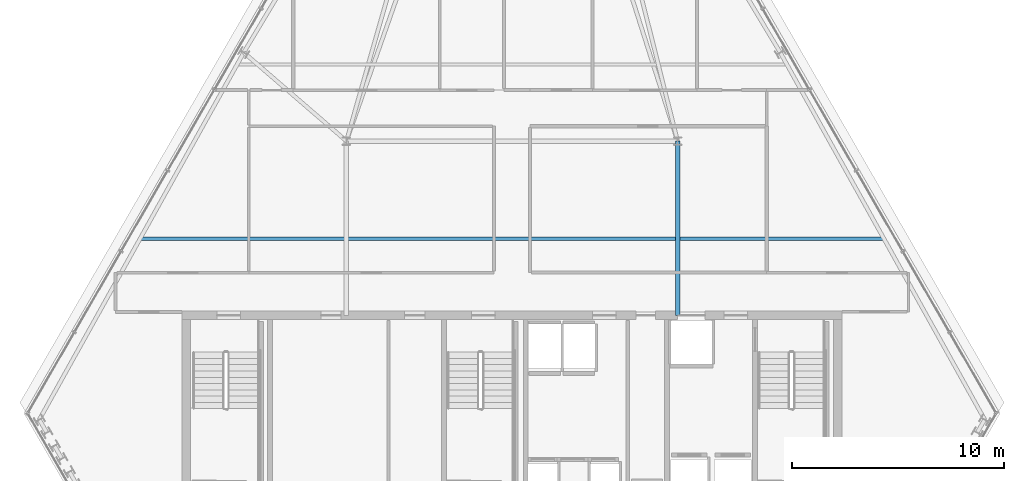
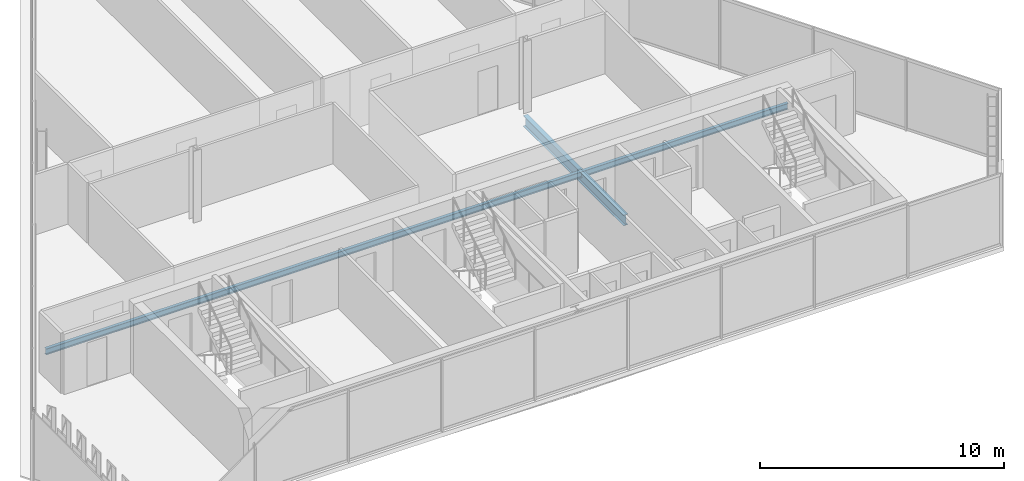
# One storey, part 10 of 32: 2 beams.
"""IFC4 building model written with IfcOpenShell, lengths in metres."""

from ifc_helpers import new_model, si_unit, direction, frame, origin, origin_2d, place, context, subcontext, project, spatial, i_section, extrude, material, material_profile, profile_set, type_object, element, save


model = new_model("IFC4")

# Units and contexts
model_context = context("Model", 3, precision=1e-05, world=origin(), true_north=direction((0.0, 1.0)))
body_context = subcontext(model_context, "Body", "Model", "MODEL_VIEW")
ifc_project = project(units=[si_unit("LENGTHUNIT", "METRE"), si_unit("AREAUNIT", "SQUARE_METRE"), si_unit("VOLUMEUNIT", "CUBIC_METRE"), si_unit("PLANEANGLEUNIT", "RADIAN"), si_unit("MASSUNIT", "GRAM", prefix="KILO")], contexts=[model_context])

# Site, building, storey
site_placement = place(None, origin())
site = spatial("IfcSite", under=ifc_project, at=site_placement, CompositionType="ELEMENT")
building_placement = place(site_placement, origin())
building = spatial("IfcBuilding", under=site, at=building_placement, Name="Ndaravel Arena Tower", CompositionType="ELEMENT")
storey_placement = place(building_placement, frame((0.0, 0.0, 252.199951171875)))
storey = spatial("IfcBuildingStorey", under=building, at=storey_placement, Name="L61", CompositionType="ELEMENT", Elevation=252.199951171875)

# Beams
ifc_material_1 = material(Name="Steel S355", Category="steel")
ifc_material_profile_1 = material_profile(ifc_material_1, i_section(OverallWidth=0.210693359375, OverallDepth=0.53955078125, WebThickness=0.01171875, FlangeThickness=0.018798828125, FilletRadius=0.0126953125, at=origin_2d()), Name="UB 533x210x109")
ifc_profile_set_1 = profile_set([ifc_material_profile_1], Name="Steel S355")
beam_type_1 = type_object("IfcBeamType", Name="BM-GIRD-UB533", PredefinedType="BEAM", material=ifc_profile_set_1)
beam_1_placement = place(storey_placement, frame((49.800048828125, 14.97998046875, -0.48974609375), z_axis=(0.0, 1.0, 0.0), x_axis=(-1.0, 0.0, 0.0)))
element("IfcBeam", 1, at=beam_1_placement, inside=storey, type_object=beam_type_1, Name="L61 Spine Link Girder SLG-02", PredefinedType="BEAM", context=body_context, shape_type="SweptSolid", body=[
    extrude(i_section(OverallWidth=0.210693359375, OverallDepth=0.53955078125, WebThickness=0.01171875, FlangeThickness=0.018798828125, FilletRadius=0.0126953125, at=origin_2d()), origin(), (0.0, 0.0, 1.0), 8.219970703125),
])
ifc_material_2 = material(Name="Steel S355", Category="steel")
ifc_material_profile_2 = material_profile(ifc_material_2, i_section(OverallWidth=0.14990234375, OverallDepth=0.300048828125, WebThickness=0.007080078125, FlangeThickness=0.0107421875, FilletRadius=0.014892578125, at=origin_2d()), Name="IPE 300")
ifc_profile_set_2 = profile_set([ifc_material_profile_2], Name="Steel S355")
beam_type_2 = type_object("IfcBeamType", Name="BM-JOIST-IPE300", PredefinedType="JOIST", material=ifc_profile_set_2)
beam_2_placement = place(storey_placement, frame((24.47802734375, 18.60009765625, -0.369873046875), z_axis=(1.0, 0.0, 0.0), x_axis=(0.0, 1.0, 0.0)))
element("IfcBeam", 2, at=beam_2_placement, inside=storey, type_object=beam_type_2, Name="L61 Composite Floor Joist FJ-01", PredefinedType="JOIST", context=body_context, shape_type="SweptSolid", body=[
    extrude(i_section(OverallWidth=0.14990234375, OverallDepth=0.300048828125, WebThickness=0.007080078125, FlangeThickness=0.0107421875, FilletRadius=0.014892578125, at=origin_2d()), origin(), (0.0, 0.0, 1.0), 35.0439453125),
])

save(model, "model.ifc")
